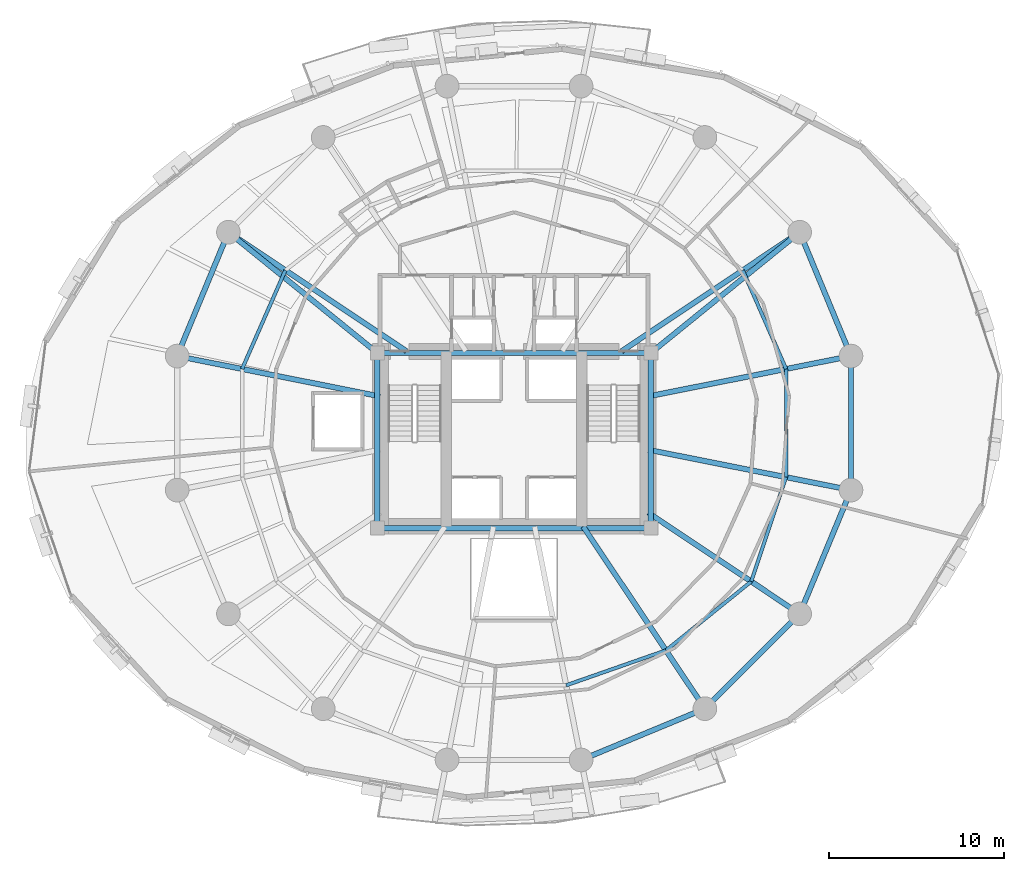
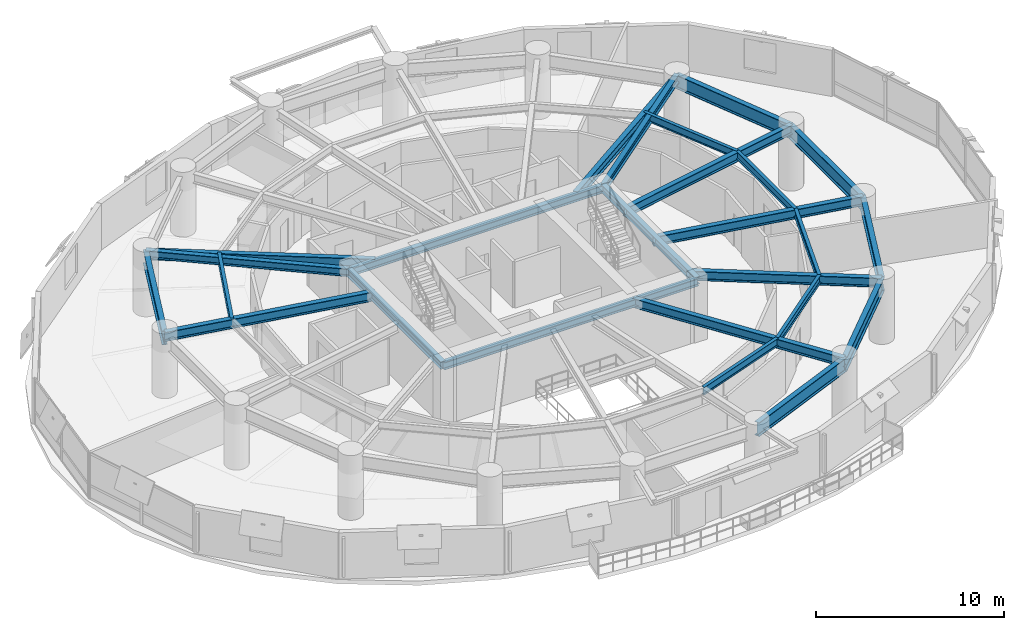
# One storey, part 7 of 17: 25 beams.
"""IFC4 building model written with IfcOpenShell, lengths in metres."""

from ifc_helpers import new_model, si_unit, direction, frame, origin, origin_2d, place, context, subcontext, project, spatial, i_section, extrude, material, material_profile, profile_set, type_object, element, save


model = new_model("IFC4")

# Units and contexts
model_context = context("Model", 3, precision=1e-05, world=origin(), true_north=direction((0.0, 1.0)))
body_context = subcontext(model_context, "Body", "Model", "MODEL_VIEW")
ifc_project = project(units=[si_unit("LENGTHUNIT", "METRE"), si_unit("AREAUNIT", "SQUARE_METRE"), si_unit("VOLUMEUNIT", "CUBIC_METRE"), si_unit("PLANEANGLEUNIT", "RADIAN"), si_unit("MASSUNIT", "GRAM", prefix="KILO"), si_unit("THERMODYNAMICTEMPERATUREUNIT", "KELVIN"), si_unit("POWERUNIT", "WATT")], contexts=[model_context])

# Site, building, storey
site_placement = place(None, origin())
site = spatial("IfcSite", under=ifc_project, at=site_placement, CompositionType="ELEMENT")
building_placement = place(site_placement, origin())
building = spatial("IfcBuilding", under=site, at=building_placement, Name="Ocrelia Relay Tower", CompositionType="ELEMENT")
storey_placement = place(building_placement, frame((0.0, 0.0, 55.199951171875)))
storey = spatial("IfcBuildingStorey", under=building, at=storey_placement, Name="L12", CompositionType="ELEMENT", Elevation=55.199951171875)

# Beams
ifc_material = material(Name="Steel S355", Category="steel")
ifc_material_profile_1 = material_profile(ifc_material, i_section(OverallWidth=0.300048828125, OverallDepth=0.5, WebThickness=0.014404296875, FlangeThickness=0.028076171875, FilletRadius=0.027099609375, at=origin_2d()), Name="HEB 500")
ifc_profile_set_1 = profile_set([ifc_material_profile_1], Name="Steel S355")
beam_type_1 = type_object("IfcBeamType", Name="BM-HEB500", PredefinedType="BEAM", material=ifc_profile_set_1)
for number, where, z_axis, x_axis, name in (
    (1, (26.199951171875, 20.0, 3.670166015625), (1.0, 0.0, 0.0), (0.0, 1.0, 0.0), "L12 Core Pilaster Tie Beam S"),
    (2, (26.199951171875, 30.0, 3.670166015625), (1.0, 0.0, 0.0), (0.0, 1.0, 0.0), "L12 Core Pilaster Tie Beam N"),
):
    element("IfcBeam", number, at=place(storey_placement, frame(where, z_axis=z_axis, x_axis=x_axis)), inside=storey, type_object=beam_type_1, Name=name, PredefinedType="BEAM", context=body_context, shape_type="SweptSolid", body=[
        extrude(i_section(OverallWidth=0.300048828125, OverallDepth=0.5, WebThickness=0.014404296875, FlangeThickness=0.028076171875, FilletRadius=0.027099609375, at=origin_2d()), origin(), (0.0, 0.0, 1.0), 15.60009765625),
    ])
for number, where, z_axis, x_axis, name in (
    (3, (26.199951171875, 20.0, 3.670166015625), (0.0, 1.0, 0.0), (-1.0, 0.0, 0.0), "L12 Core Pilaster Tie Beam W"),
    (4, (41.800048828125, 20.0, 3.670166015625), (0.0, 1.0, 0.0), (-1.0, 0.0, 0.0), "L12 Core Pilaster Tie Beam E"),
):
    element("IfcBeam", number, at=place(storey_placement, frame(where, z_axis=z_axis, x_axis=x_axis)), inside=storey, type_object=beam_type_1, Name=name, PredefinedType="BEAM", context=body_context, shape_type="SweptSolid", body=[
        extrude(i_section(OverallWidth=0.300048828125, OverallDepth=0.5, WebThickness=0.014404296875, FlangeThickness=0.028076171875, FilletRadius=0.027099609375, at=origin_2d()), origin(), (0.0, 0.0, 1.0), 10.0),
    ])
for number, where, z_axis, x_axis, name in (
    (5, (50.296875, 36.88916015625, 3.670166015625), (-0.776762830896, -0.629793223637, 0.0), (0.629793223637, -0.776762830896, 0.0), "L12 Core Pilaster Frame Tie Beam PT02"),
    (6, (17.703125, 36.88916015625, 3.670166015625), (0.776762830896, -0.629793223637, 0.0), (0.629793223637, 0.776762830896, 0.0), "L12 Core Pilaster Frame Tie Beam PT07"),
):
    element("IfcBeam", number, at=place(storey_placement, frame(where, z_axis=z_axis, x_axis=x_axis)), inside=storey, type_object=beam_type_1, Name=name, PredefinedType="BEAM", context=body_context, shape_type="SweptSolid", body=[
        extrude(i_section(OverallWidth=0.300048828125, OverallDepth=0.5, WebThickness=0.014404296875, FlangeThickness=0.028076171875, FilletRadius=0.027099609375, at=origin_2d()), origin(), (0.0, 0.0, 1.0), 10.938720703125),
    ])
ifc_material_profile_2 = material_profile(ifc_material, i_section(OverallWidth=0.300048828125, OverallDepth=0.60009765625, WebThickness=0.015380859375, FlangeThickness=0.030029296875, FilletRadius=0.027099609375, at=origin_2d()), Name="HEB 600")
ifc_profile_set_2 = profile_set([ifc_material_profile_2], Name="Steel S355")
beam_type_2 = type_object("IfcBeamType", Name="BM-HEB600", PredefinedType="BEAM", material=ifc_profile_set_2)
beam_1_placement = place(storey_placement, frame((53.223388671875, 29.82373046875, 3.6201171875), z_axis=(-0.980786324446, -0.195085073187, 0.0), x_axis=(0.195085073187, -0.980786324446, 0.0)))
element("IfcBeam", 7, at=beam_1_placement, inside=storey, type_object=beam_type_2, Name="L12 Radial Floor Girder R01", PredefinedType="BEAM", context=body_context, shape_type="SweptSolid", body=[
    extrude(i_section(OverallWidth=0.300048828125, OverallDepth=0.60009765625, WebThickness=0.015380859375, FlangeThickness=0.030029296875, FilletRadius=0.027099609375, at=origin_2d()), origin(), (0.0, 0.0, 1.0), 11.794921875),
])
for number, where, z_axis, x_axis, name in (
    (8, (50.296875, 36.88916015625, 3.6201171875), (-0.831471581268, -0.555567286243, 0.0), (0.555567286243, -0.831471581268, 0.0), "L12 Radial Floor Girder R02"),
    (9, (17.703125, 36.88916015625, 3.6201171875), (0.831471581268, -0.555567286243, 0.0), (0.555567286243, 0.831471581268, 0.0), "L12 Radial Floor Girder R07"),
):
    element("IfcBeam", number, at=place(storey_placement, frame(where, z_axis=z_axis, x_axis=x_axis)), inside=storey, type_object=beam_type_2, Name=name, PredefinedType="BEAM", context=body_context, shape_type="SweptSolid", body=[
        extrude(i_section(OverallWidth=0.300048828125, OverallDepth=0.60009765625, WebThickness=0.015380859375, FlangeThickness=0.030029296875, FilletRadius=0.027099609375, at=origin_2d()), origin(), (0.0, 0.0, 1.0), 12.211181640625),
    ])
beam_2_placement = place(storey_placement, frame((14.776611328125, 29.82373046875, 3.6201171875), z_axis=(0.980786938484, -0.195081986098, 0.0), x_axis=(0.195081986098, 0.980786938484, 0.0)))
element("IfcBeam", 10, at=beam_2_placement, inside=storey, type_object=beam_type_2, Name="L12 Radial Floor Girder R08", PredefinedType="BEAM", context=body_context, shape_type="SweptSolid", body=[
    extrude(i_section(OverallWidth=0.300048828125, OverallDepth=0.60009765625, WebThickness=0.015380859375, FlangeThickness=0.030029296875, FilletRadius=0.027099609375, at=origin_2d()), origin(), (0.0, 0.0, 1.0), 11.80517578125),
])
beam_3_placement = place(storey_placement, frame((44.88916015625, 9.703125, 3.6201171875), z_axis=(-0.555569912646, 0.831469826369, 0.0), x_axis=(-0.831469826369, -0.555569912646, 0.0)))
element("IfcBeam", 11, at=beam_3_placement, inside=storey, type_object=beam_type_2, Name="L12 Radial Floor Girder R14", PredefinedType="BEAM", context=body_context, shape_type="SweptSolid", body=[
    extrude(i_section(OverallWidth=0.300048828125, OverallDepth=0.60009765625, WebThickness=0.015380859375, FlangeThickness=0.030029296875, FilletRadius=0.027099609375, at=origin_2d()), origin(), (0.0, 0.0, 1.0), 12.498046875),
])
beam_4_placement = place(storey_placement, frame((50.296875, 15.11083984375, 3.6201171875), z_axis=(-0.831475246583, 0.555561800631, 0.0), x_axis=(-0.555561800631, -0.831475246583, 0.0)))
element("IfcBeam", 12, at=beam_4_placement, inside=storey, type_object=beam_type_2, Name="L12 Radial Floor Girder R15", PredefinedType="BEAM", context=body_context, shape_type="SweptSolid", body=[
    extrude(i_section(OverallWidth=0.300048828125, OverallDepth=0.60009765625, WebThickness=0.015380859375, FlangeThickness=0.030029296875, FilletRadius=0.027099609375, at=origin_2d()), origin(), (0.0, 0.0, 1.0), 10.393310546875),
])
beam_5_placement = place(storey_placement, frame((53.223388671875, 22.17626953125, 3.6201171875), z_axis=(-0.980786324446, 0.195085073187, 0.0), x_axis=(-0.195085073187, -0.980786324446, 0.0)))
element("IfcBeam", 13, at=beam_5_placement, inside=storey, type_object=beam_type_2, Name="L12 Radial Floor Girder R16", PredefinedType="BEAM", context=body_context, shape_type="SweptSolid", body=[
    extrude(i_section(OverallWidth=0.300048828125, OverallDepth=0.60009765625, WebThickness=0.015380859375, FlangeThickness=0.030029296875, FilletRadius=0.027099609375, at=origin_2d()), origin(), (0.0, 0.0, 1.0), 11.794921875),
])
ifc_material_profile_3 = material_profile(ifc_material, i_section(OverallWidth=0.300048828125, OverallDepth=0.89990234375, WebThickness=0.0185546875, FlangeThickness=0.034912109375, FilletRadius=0.030029296875, at=origin_2d()), Name="HEB 900")
ifc_profile_set_3 = profile_set([ifc_material_profile_3], Name="Steel S355")
beam_type_3 = type_object("IfcBeamType", Name="BM-HEB900", PredefinedType="BEAM", material=ifc_profile_set_3)
for number, where, z_axis, x_axis, name in (
    (14, (53.223388671875, 29.82373046875, 3.469970703125), (-0.382674154222, 0.923883375589, 0.0), (-0.923883375589, -0.382674154222, 0.0), "L12 Perimeter Spandrel Beam S01"),
    (15, (17.703125, 36.88916015625, 3.469970703125), (-0.382674154222, -0.923883375589, 0.0), (0.923883375589, -0.382674154222, 0.0), "L12 Perimeter Spandrel Beam S07"),
    (16, (37.82373046875, 6.776611328125, 3.469970703125), (0.923883375589, 0.382674154222, 0.0), (-0.382674154222, 0.923883375589, 0.0), "L12 Perimeter Spandrel Beam S13"),
):
    element("IfcBeam", number, at=place(storey_placement, frame(where, z_axis=z_axis, x_axis=x_axis)), inside=storey, type_object=beam_type_3, Name=name, PredefinedType="BEAM", context=body_context, shape_type="SweptSolid", body=[
        extrude(i_section(OverallWidth=0.300048828125, OverallDepth=0.89990234375, WebThickness=0.0185546875, FlangeThickness=0.034912109375, FilletRadius=0.030029296875, at=origin_2d()), origin(), (0.0, 0.0, 1.0), 7.6474609375),
    ])
beam_6_placement = place(storey_placement, frame((44.88916015625, 9.703125, 3.469970703125), z_axis=(0.707106781187, 0.707106781187, 0.0), x_axis=(-0.707106781187, 0.707106781187, 0.0)))
element("IfcBeam", 17, at=beam_6_placement, inside=storey, type_object=beam_type_3, Name="L12 Perimeter Spandrel Beam S14", PredefinedType="BEAM", context=body_context, shape_type="SweptSolid", body=[
    extrude(i_section(OverallWidth=0.300048828125, OverallDepth=0.89990234375, WebThickness=0.0185546875, FlangeThickness=0.034912109375, FilletRadius=0.030029296875, at=origin_2d()), origin(), (0.0, 0.0, 1.0), 7.647705078125),
])
for number, where, z_axis, x_axis, name in (
    (18, (50.296875, 15.11083984375, 3.469970703125), (0.382674154222, 0.923883375589, 0.0), (-0.923883375589, 0.382674154222, 0.0), "L12 Perimeter Spandrel Beam S15"),
    (19, (53.223388671875, 22.17626953125, 3.469970703125), (0.0, 1.0, 0.0), (-1.0, 0.0, 0.0), "L12 Perimeter Spandrel Beam S16"),
):
    element("IfcBeam", number, at=place(storey_placement, frame(where, z_axis=z_axis, x_axis=x_axis)), inside=storey, type_object=beam_type_3, Name=name, PredefinedType="BEAM", context=body_context, shape_type="SweptSolid", body=[
        extrude(i_section(OverallWidth=0.300048828125, OverallDepth=0.89990234375, WebThickness=0.0185546875, FlangeThickness=0.034912109375, FilletRadius=0.030029296875, at=origin_2d()), origin(), (0.0, 0.0, 1.0), 7.6474609375),
    ])
ifc_material_profile_4 = material_profile(ifc_material, i_section(OverallWidth=0.199951171875, OverallDepth=0.5, WebThickness=0.01025390625, FlangeThickness=0.01611328125, FilletRadius=0.02099609375, at=origin_2d()), Name="IPE 500")
ifc_profile_set_4 = profile_set([ifc_material_profile_4], Name="Steel S355")
beam_type_4 = type_object("IfcBeamType", Name="BM-IPE500", PredefinedType="JOIST", material=ifc_profile_set_4)
beam_7_placement = place(storey_placement, frame((49.521484375, 29.08740234375, 3.670166015625), z_axis=(-0.402201104053, 0.915551348586, 0.0), x_axis=(-0.915551348586, -0.402201104053, 0.0)))
element("IfcBeam", 20, at=beam_7_placement, inside=storey, type_object=beam_type_4, Name="L12 Secondary Floor Joist J01", PredefinedType="JOIST", context=body_context, shape_type="SweptSolid", body=[
    extrude(i_section(OverallWidth=0.199951171875, OverallDepth=0.5, WebThickness=0.01025390625, FlangeThickness=0.01611328125, FilletRadius=0.02099609375, at=origin_2d()), origin(), (0.0, 0.0, 1.0), 6.150146484375),
])
beam_8_placement = place(storey_placement, frame((20.9521484375, 34.71826171875, 3.670166015625), z_axis=(-0.401739185135, -0.915754130281, 0.0), x_axis=(0.915754130281, -0.401739185135, 0.0)))
element("IfcBeam", 21, at=beam_8_placement, inside=storey, type_object=beam_type_4, Name="L12 Secondary Floor Joist J07", PredefinedType="JOIST", context=body_context, shape_type="SweptSolid", body=[
    extrude(i_section(OverallWidth=0.199951171875, OverallDepth=0.5, WebThickness=0.01025390625, FlangeThickness=0.01611328125, FilletRadius=0.02099609375, at=origin_2d()), origin(), (0.0, 0.0, 1.0), 6.1494140625),
])
beam_9_placement = place(storey_placement, frame((36.97607421875, 11.03857421875, 3.670166015625), z_axis=(0.943957429675, 0.330067221882, 0.0), x_axis=(-0.330067221882, 0.943957429675, 0.0)))
element("IfcBeam", 22, at=beam_9_placement, inside=storey, type_object=beam_type_4, Name="L12 Secondary Floor Joist J13", PredefinedType="JOIST", context=body_context, shape_type="SweptSolid", body=[
    extrude(i_section(OverallWidth=0.199951171875, OverallDepth=0.5, WebThickness=0.01025390625, FlangeThickness=0.01611328125, FilletRadius=0.02099609375, at=origin_2d()), origin(), (0.0, 0.0, 1.0), 6.029052734375),
])
beam_10_placement = place(storey_placement, frame((42.667236328125, 13.028564453125, 3.670166015625), z_axis=(0.777854562422, 0.628444333031, 0.0), x_axis=(-0.628444333031, 0.777854562422, 0.0)))
element("IfcBeam", 23, at=beam_10_placement, inside=storey, type_object=beam_type_4, Name="L12 Secondary Floor Joist J14", PredefinedType="JOIST", context=body_context, shape_type="SweptSolid", body=[
    extrude(i_section(OverallWidth=0.199951171875, OverallDepth=0.5, WebThickness=0.01025390625, FlangeThickness=0.01611328125, FilletRadius=0.02099609375, at=origin_2d()), origin(), (0.0, 0.0, 1.0), 6.25341796875),
])
beam_11_placement = place(storey_placement, frame((47.531494140625, 16.95849609375, 3.670166015625), z_axis=(0.31698600471, 0.948430215049, 0.0), x_axis=(-0.948430215049, 0.31698600471, 0.0)))
element("IfcBeam", 24, at=beam_11_placement, inside=storey, type_object=beam_type_4, Name="L12 Secondary Floor Joist J15", PredefinedType="JOIST", context=body_context, shape_type="SweptSolid", body=[
    extrude(i_section(OverallWidth=0.199951171875, OverallDepth=0.5, WebThickness=0.01025390625, FlangeThickness=0.01611328125, FilletRadius=0.02099609375, at=origin_2d()), origin(), (0.0, 0.0, 1.0), 6.27783203125),
])
beam_12_placement = place(storey_placement, frame((49.521484375, 22.91259765625, 3.670166015625), z_axis=(0.0, 1.0, 0.0), x_axis=(-1.0, 0.0, 0.0)))
element("IfcBeam", 25, at=beam_12_placement, inside=storey, type_object=beam_type_4, Name="L12 Secondary Floor Joist J16", PredefinedType="JOIST", context=body_context, shape_type="SweptSolid", body=[
    extrude(i_section(OverallWidth=0.199951171875, OverallDepth=0.5, WebThickness=0.01025390625, FlangeThickness=0.01611328125, FilletRadius=0.02099609375, at=origin_2d()), origin(), (0.0, 0.0, 1.0), 6.1748046875),
])

save(model, "model.ifc")
